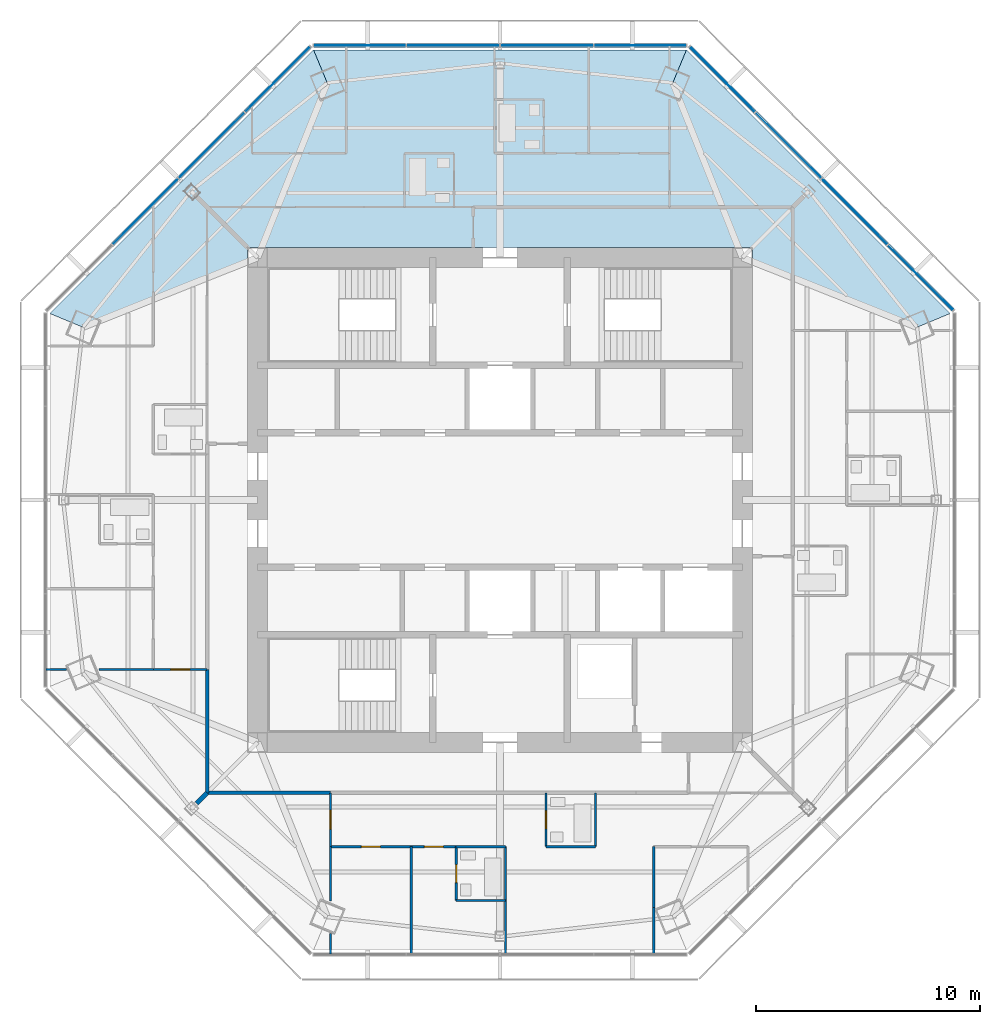
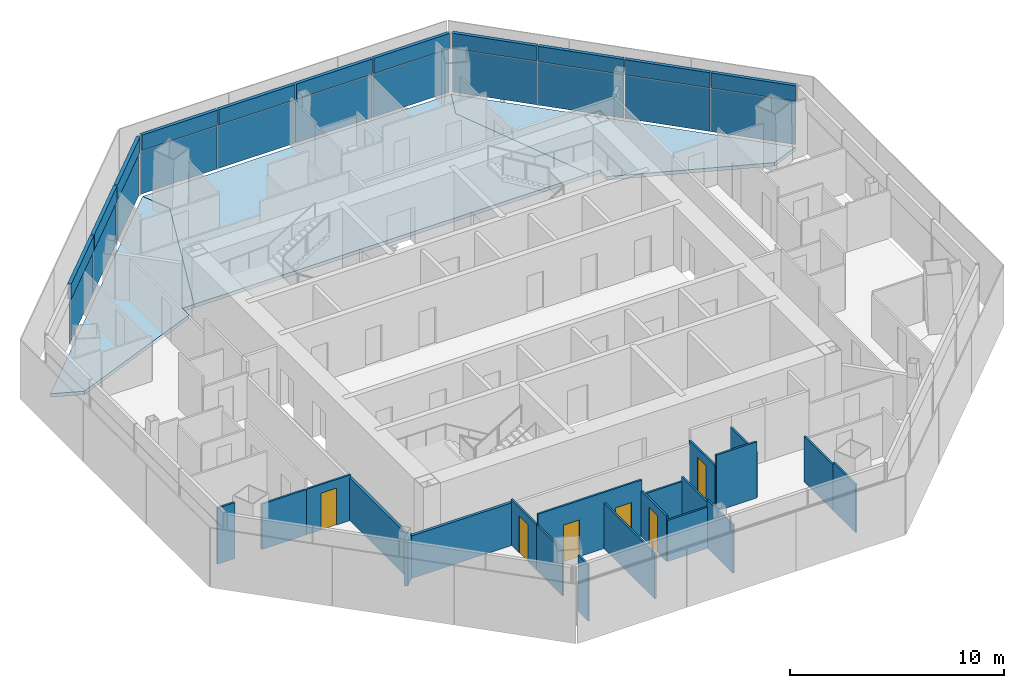
# One storey, part 9 of 15: 22 plates, 21 walls, 6 doors, 3 slabs, 6 openings, 3 elements without a shape of their own.
"""IFC4 building model written with IfcOpenShell, lengths in metres."""

from ifc_helpers import new_model, si_unit, direction, frame, frame_2d, origin, origin_2d, place, context, subcontext, project, spatial, polyline, rectangle, outline, extrude, source, transform, mapped, material, layer, layer_set, type_object, type_shapes, element, fill, aggregate, save


model = new_model("IFC4")

# Units and contexts
model_context = context("Model", 3, precision=1e-05, world=origin(), true_north=direction((0.0, 1.0)))
body_context = subcontext(model_context, "Body", "Model", "MODEL_VIEW")
ifc_project = project(units=[si_unit("LENGTHUNIT", "METRE"), si_unit("AREAUNIT", "SQUARE_METRE"), si_unit("VOLUMEUNIT", "CUBIC_METRE"), si_unit("PLANEANGLEUNIT", "RADIAN"), si_unit("MASSUNIT", "GRAM", prefix="KILO")], contexts=[model_context])

# Site, building, storey
site_placement = place(None, origin())
site = spatial("IfcSite", under=ifc_project, at=site_placement, CompositionType="ELEMENT")
building_placement = place(site_placement, origin())
building = spatial("IfcBuilding", under=site, at=building_placement, Name="Mashrafa Tower", CompositionType="ELEMENT")
storey_placement = place(building_placement, frame((0.0, 0.0, 274.199951171875)))
storey = spatial("IfcBuildingStorey", under=building, at=storey_placement, Name="L66", CompositionType="ELEMENT", Elevation=274.199951171875)

# Slabs
ifc_material_1 = material(Name="Concrete C35/45", Category="concrete")
ifc_layer_1 = layer(ifc_material_1, 0.199951171875)
ifc_layer_set_1 = layer_set([ifc_layer_1], Name="Floor slab 200")
slab_type = type_object("IfcSlabType", Name="Floor slab 200", PredefinedType="FLOOR", material=ifc_layer_set_1)
slab_1_placement = place(storey_placement, frame((0.0, 0.0, -0.199951171875)))
element("IfcSlab", 1, at=slab_1_placement, inside=storey, type_object=slab_type, Name="Floor slab L66 north-east bay", PredefinedType="FLOOR", context=body_context, shape_type="SweptSolid", body=[
    extrude(outline(polyline([(8.308349609375, 20.05810546875), (20.05810546875, 8.308349609375), (20.05810546875, 8.308349609375), (18.58544921875, 7.6982421875), (11.25, 10.62060546875), (11.25, 11.25), (10.62060546875, 11.25), (7.6982421875, 18.58544921875), (8.308349609375, 20.05810546875), (8.308349609375, 20.05810546875)])), origin(), (0.0, 0.0, 1.0), 0.199951171875),
])
slab_2_placement = place(storey_placement, frame((0.0, 0.0, -0.199951171875)))
element("IfcSlab", 2, at=slab_2_placement, inside=storey, type_object=slab_type, Name="Floor slab L66 north bay", PredefinedType="FLOOR", context=body_context, shape_type="SweptSolid", body=[
    extrude(outline(polyline([(8.308349609375, 20.05810546875), (7.6982421875, 18.58544921875), (10.62060546875, 11.25), (-10.62060546875, 11.25), (-7.6982421875, 18.58544921875), (-8.308349609375, 20.05810546875), (8.308349609375, 20.05810546875)])), origin(), (0.0, 0.0, 1.0), 0.199951171875),
])
slab_3_placement = place(storey_placement, frame((0.0, 0.0, -0.199951171875)))
element("IfcSlab", 3, at=slab_3_placement, inside=storey, type_object=slab_type, Name="Floor slab L66 north-west bay", PredefinedType="FLOOR", context=body_context, shape_type="SweptSolid", body=[
    extrude(outline(polyline([(-20.05810546875, 8.308349609375), (-8.308349609375, 20.05810546875), (-8.308349609375, 20.05810546875), (-7.6982421875, 18.58544921875), (-10.62060546875, 11.25), (-11.25, 11.25), (-11.25, 10.62060546875), (-18.58544921875, 7.6982421875), (-20.05810546875, 8.308349609375), (-20.05810546875, 8.308349609375)])), origin(), (0.0, 0.0, 1.0), 0.199951171875),
])

# Curtain wall, plates
ifc_material_2 = material(Name="Unitised aluminium curtain wall", Category="aluminium")
curtain_wall_type = type_object("IfcCurtainWallType", Name="Apartment curtain wall, zone 4 CW-D 160 deep", PredefinedType="NOTDEFINED", material=ifc_material_2)
curtain_wall_1_placement = place(storey_placement, origin())
curtain_wall_1 = element("IfcCurtainWall", 4, at=curtain_wall_1_placement, inside=storey, type_object=curtain_wall_type, Name="Apartment curtain wall, zone 4 L66 north-east", PredefinedType="NOTDEFINED")
ifc_material_3 = material(Name="Insulated double glazing, acoustic", Category="glass")
ifc_layer_2 = layer(ifc_material_3, 0.028076171875)
ifc_layer_set_2 = layer_set([ifc_layer_2], Name="Vision panel CW-D 28")
plate_type_1 = type_object("IfcPlateType", Name="Vision panel CW-D 28", PredefinedType="CURTAIN_PANEL", material=ifc_layer_set_2)
shared_shape_1 = source(origin(), body_context, "Body", "SweptSolid", [
    extrude(rectangle(XDim=4.083984375, YDim=0.028076171875, at=origin_2d()), origin(), (0.0, 0.0, 1.0), 2.46240234375),
])
plate_1_placement = place(storey_placement, frame((18.7412109375, 9.907958984375, 0.0), z_axis=(0.0, 0.0, 1.0), x_axis=(-0.707106781187, 0.707106781187, 0.0)))
plate_1 = element("IfcPlate", 5, at=plate_1_placement, type_object=plate_type_1, Name="CW-D vision panel 1", PredefinedType="CURTAIN_PANEL", context=body_context, shape_type="MappedRepresentation", body=[
    mapped(shared_shape_1, transform((0.0, 0.0, 0.0))),
])
plate_2_placement = place(storey_placement, frame((9.907958984375, 18.7412109375, 0.0), z_axis=(0.0, 0.0, 1.0), x_axis=(-0.707106781187, 0.707106781187, 0.0)))
plate_2 = element("IfcPlate", 6, at=plate_2_placement, type_object=plate_type_1, Name="CW-D vision panel 4", PredefinedType="CURTAIN_PANEL", context=body_context, shape_type="MappedRepresentation", body=[
    mapped(shared_shape_1, transform((0.0, 0.0, 0.0))),
])

curtain_wall_2_placement = place(storey_placement, origin())
curtain_wall_2 = element("IfcCurtainWall", 7, at=curtain_wall_2_placement, inside=storey, type_object=curtain_wall_type, Name="Apartment curtain wall, zone 4 L66 north", PredefinedType="NOTDEFINED")
plate_3_placement = place(storey_placement, frame((6.24609375, 20.258056640625, 0.0), z_axis=(0.0, 0.0, 1.0), x_axis=(-1.0, 0.0, 0.0)))
plate_3 = element("IfcPlate", 8, at=plate_3_placement, type_object=plate_type_1, Name="CW-D vision panel 1", PredefinedType="CURTAIN_PANEL", context=body_context, shape_type="MappedRepresentation", body=[
    mapped(shared_shape_1, transform((0.0, 0.0, 0.0))),
])
plate_4_placement = place(storey_placement, frame((-6.24609375, 20.258056640625, 0.0), z_axis=(0.0, 0.0, 1.0), x_axis=(-1.0, 0.0, 0.0)))
plate_4 = element("IfcPlate", 9, at=plate_4_placement, type_object=plate_type_1, Name="CW-D vision panel 4", PredefinedType="CURTAIN_PANEL", context=body_context, shape_type="MappedRepresentation", body=[
    mapped(shared_shape_1, transform((0.0, 0.0, 0.0))),
])

# Curtain wall, plate
curtain_wall_3_placement = place(storey_placement, origin())
curtain_wall_3 = element("IfcCurtainWall", 10, at=curtain_wall_3_placement, inside=storey, type_object=curtain_wall_type, Name="Apartment curtain wall, zone 4 L66 north-west", PredefinedType="NOTDEFINED")
plate_5_placement = place(storey_placement, frame((-9.907958984375, 18.7412109375, 0.0), z_axis=(0.0, 0.0, 1.0), x_axis=(-0.707106781187, -0.707106781187, 0.0)))
plate_5 = element("IfcPlate", 11, at=plate_5_placement, type_object=plate_type_1, Name="CW-D vision panel 1", PredefinedType="CURTAIN_PANEL", context=body_context, shape_type="MappedRepresentation", body=[
    mapped(shared_shape_1, transform((0.0, 0.0, 0.0))),
])

# Plate
ifc_material_4 = material(Name="Insulated bronze aluminium spandrel panel", Category="aluminium")
ifc_layer_3 = layer(ifc_material_4, 0.179931640625)
ifc_layer_set_3 = layer_set([ifc_layer_3], Name="Spandrel panel CW-D 180")
plate_type_2 = type_object("IfcPlateType", Name="Spandrel panel CW-D 180", PredefinedType="CURTAIN_PANEL", material=ifc_layer_set_3)
shared_shape_2 = source(origin(), body_context, "Body", "SweptSolid", [
    extrude(rectangle(XDim=4.083984375, YDim=0.179931640625, at=origin_2d()), origin(), (0.0, 0.0, 1.0), 0.862548828125),
])
plate_6_placement = place(storey_placement, frame((18.7412109375, 9.907958984375, 2.53759765625), z_axis=(0.0, 0.0, 1.0), x_axis=(-0.707106781187, 0.707106781187, 0.0)))
plate_6 = element("IfcPlate", 12, at=plate_6_placement, type_object=plate_type_2, Name="CW-D spandrel panel 1", PredefinedType="CURTAIN_PANEL", context=body_context, shape_type="MappedRepresentation", body=[
    mapped(shared_shape_2, transform((0.0, 0.0, 0.0))),
])

plate_7_placement = place(storey_placement, frame((9.907958984375, 18.7412109375, 2.53759765625), z_axis=(0.0, 0.0, 1.0), x_axis=(-0.707106781187, 0.707106781187, 0.0)))
plate_7 = element("IfcPlate", 13, at=plate_7_placement, type_object=plate_type_2, Name="CW-D spandrel panel 4", PredefinedType="CURTAIN_PANEL", context=body_context, shape_type="MappedRepresentation", body=[
    mapped(shared_shape_2, transform((0.0, 0.0, 0.0))),
])

plate_8_placement = place(storey_placement, frame((6.24609375, 20.258056640625, 2.53759765625), z_axis=(0.0, 0.0, 1.0), x_axis=(-1.0, 0.0, 0.0)))
plate_8 = element("IfcPlate", 14, at=plate_8_placement, type_object=plate_type_2, Name="CW-D spandrel panel 1", PredefinedType="CURTAIN_PANEL", context=body_context, shape_type="MappedRepresentation", body=[
    mapped(shared_shape_2, transform((0.0, 0.0, 0.0))),
])

plate_9_placement = place(storey_placement, frame((-6.24609375, 20.258056640625, 2.53759765625), z_axis=(0.0, 0.0, 1.0), x_axis=(-1.0, 0.0, 0.0)))
plate_9 = element("IfcPlate", 15, at=plate_9_placement, type_object=plate_type_2, Name="CW-D spandrel panel 4", PredefinedType="CURTAIN_PANEL", context=body_context, shape_type="MappedRepresentation", body=[
    mapped(shared_shape_2, transform((0.0, 0.0, 0.0))),
])

plate_10_placement = place(storey_placement, frame((-9.907958984375, 18.7412109375, 2.53759765625), z_axis=(0.0, 0.0, 1.0), x_axis=(-0.707106781187, -0.707106781187, 0.0)))
plate_10 = element("IfcPlate", 16, at=plate_10_placement, type_object=plate_type_2, Name="CW-D spandrel panel 1", PredefinedType="CURTAIN_PANEL", context=body_context, shape_type="MappedRepresentation", body=[
    mapped(shared_shape_2, transform((0.0, 0.0, 0.0))),
])

shared_shape_3 = source(origin(), body_context, "Body", "SweptSolid", [
    extrude(rectangle(XDim=4.114013671875, YDim=0.028076171875, at=origin_2d()), origin(), (0.0, 0.0, 1.0), 2.46240234375),
])
type_shapes(plate_type_1, [shared_shape_1, shared_shape_3])
plate_11_placement = place(storey_placement, frame((15.80029296875, 12.848876953125, 0.0), z_axis=(0.0, 0.0, 1.0), x_axis=(-0.707106781187, 0.707106781187, 0.0)))
plate_11 = element("IfcPlate", 17, at=plate_11_placement, type_object=plate_type_1, Name="CW-D vision panel 2", PredefinedType="CURTAIN_PANEL", context=body_context, shape_type="MappedRepresentation", body=[
    mapped(shared_shape_3, transform((0.0, 0.0, 0.0))),
])

plate_12_placement = place(storey_placement, frame((12.848876953125, 15.80029296875, 0.0), z_axis=(0.0, 0.0, 1.0), x_axis=(-0.707106781187, 0.707106781187, 0.0)))
plate_12 = element("IfcPlate", 18, at=plate_12_placement, type_object=plate_type_1, Name="CW-D vision panel 3", PredefinedType="CURTAIN_PANEL", context=body_context, shape_type="MappedRepresentation", body=[
    mapped(shared_shape_3, transform((0.0, 0.0, 0.0))),
])

plate_13_placement = place(storey_placement, frame((2.0869140625, 20.258056640625, 0.0), z_axis=(0.0, 0.0, 1.0), x_axis=(-1.0, 0.0, 0.0)))
plate_13 = element("IfcPlate", 19, at=plate_13_placement, type_object=plate_type_1, Name="CW-D vision panel 2", PredefinedType="CURTAIN_PANEL", context=body_context, shape_type="MappedRepresentation", body=[
    mapped(shared_shape_3, transform((0.0, 0.0, 0.0))),
])

plate_14_placement = place(storey_placement, frame((-2.0869140625, 20.258056640625, 0.0), z_axis=(0.0, 0.0, 1.0), x_axis=(-1.0, 0.0, 0.0)))
plate_14 = element("IfcPlate", 20, at=plate_14_placement, type_object=plate_type_1, Name="CW-D vision panel 3", PredefinedType="CURTAIN_PANEL", context=body_context, shape_type="MappedRepresentation", body=[
    mapped(shared_shape_3, transform((0.0, 0.0, 0.0))),
])

plate_15_placement = place(storey_placement, frame((-12.848876953125, 15.80029296875, 0.0), z_axis=(0.0, 0.0, 1.0), x_axis=(-0.707106781187, -0.707106781187, 0.0)))
plate_15 = element("IfcPlate", 21, at=plate_15_placement, type_object=plate_type_1, Name="CW-D vision panel 2", PredefinedType="CURTAIN_PANEL", context=body_context, shape_type="MappedRepresentation", body=[
    mapped(shared_shape_3, transform((0.0, 0.0, 0.0))),
])

plate_16_placement = place(storey_placement, frame((-15.80029296875, 12.848876953125, 0.0), z_axis=(0.0, 0.0, 1.0), x_axis=(-0.707106781187, -0.707106781187, 0.0)))
plate_16 = element("IfcPlate", 22, at=plate_16_placement, type_object=plate_type_1, Name="CW-D vision panel 3", PredefinedType="CURTAIN_PANEL", context=body_context, shape_type="MappedRepresentation", body=[
    mapped(shared_shape_3, transform((0.0, 0.0, 0.0))),
])

shared_shape_4 = source(origin(), body_context, "Body", "SweptSolid", [
    extrude(rectangle(XDim=4.114013671875, YDim=0.179931640625, at=origin_2d()), origin(), (0.0, 0.0, 1.0), 0.862548828125),
])
type_shapes(plate_type_2, [shared_shape_2, shared_shape_4])
plate_17_placement = place(storey_placement, frame((15.80029296875, 12.848876953125, 2.53759765625), z_axis=(0.0, 0.0, 1.0), x_axis=(-0.707106781187, 0.707106781187, 0.0)))
plate_17 = element("IfcPlate", 23, at=plate_17_placement, type_object=plate_type_2, Name="CW-D spandrel panel 2", PredefinedType="CURTAIN_PANEL", context=body_context, shape_type="MappedRepresentation", body=[
    mapped(shared_shape_4, transform((0.0, 0.0, 0.0))),
])

plate_18_placement = place(storey_placement, frame((12.848876953125, 15.80029296875, 2.53759765625), z_axis=(0.0, 0.0, 1.0), x_axis=(-0.707106781187, 0.707106781187, 0.0)))
plate_18 = element("IfcPlate", 24, at=plate_18_placement, type_object=plate_type_2, Name="CW-D spandrel panel 3", PredefinedType="CURTAIN_PANEL", context=body_context, shape_type="MappedRepresentation", body=[
    mapped(shared_shape_4, transform((0.0, 0.0, 0.0))),
])

aggregate(curtain_wall_1, [plate_1, plate_6, plate_11, plate_17, plate_12, plate_18, plate_2, plate_7])

plate_19_placement = place(storey_placement, frame((2.0869140625, 20.258056640625, 2.53759765625), z_axis=(0.0, 0.0, 1.0), x_axis=(-1.0, 0.0, 0.0)))
plate_19 = element("IfcPlate", 25, at=plate_19_placement, type_object=plate_type_2, Name="CW-D spandrel panel 2", PredefinedType="CURTAIN_PANEL", context=body_context, shape_type="MappedRepresentation", body=[
    mapped(shared_shape_4, transform((0.0, 0.0, 0.0))),
])

plate_20_placement = place(storey_placement, frame((-2.0869140625, 20.258056640625, 2.53759765625), z_axis=(0.0, 0.0, 1.0), x_axis=(-1.0, 0.0, 0.0)))
plate_20 = element("IfcPlate", 26, at=plate_20_placement, type_object=plate_type_2, Name="CW-D spandrel panel 3", PredefinedType="CURTAIN_PANEL", context=body_context, shape_type="MappedRepresentation", body=[
    mapped(shared_shape_4, transform((0.0, 0.0, 0.0))),
])

aggregate(curtain_wall_2, [plate_3, plate_8, plate_13, plate_19, plate_14, plate_20, plate_4, plate_9])

plate_21_placement = place(storey_placement, frame((-12.848876953125, 15.80029296875, 2.53759765625), z_axis=(0.0, 0.0, 1.0), x_axis=(-0.707106781187, -0.707106781187, 0.0)))
plate_21 = element("IfcPlate", 27, at=plate_21_placement, type_object=plate_type_2, Name="CW-D spandrel panel 2", PredefinedType="CURTAIN_PANEL", context=body_context, shape_type="MappedRepresentation", body=[
    mapped(shared_shape_4, transform((0.0, 0.0, 0.0))),
])

plate_22_placement = place(storey_placement, frame((-15.80029296875, 12.848876953125, 2.53759765625), z_axis=(0.0, 0.0, 1.0), x_axis=(-0.707106781187, -0.707106781187, 0.0)))
plate_22 = element("IfcPlate", 28, at=plate_22_placement, type_object=plate_type_2, Name="CW-D spandrel panel 3", PredefinedType="CURTAIN_PANEL", context=body_context, shape_type="MappedRepresentation", body=[
    mapped(shared_shape_4, transform((0.0, 0.0, 0.0))),
])

aggregate(curtain_wall_3, [plate_5, plate_10, plate_15, plate_21, plate_16, plate_22])

# Walls
ifc_material_5 = material(Name="Gypsum board on steel studs", Category="steel")
ifc_layer_4 = layer(ifc_material_5, 0.199951171875)
ifc_layer_set_4 = layer_set([ifc_layer_4], Name="Acoustic partition 200 1 hr")
wall_type_1 = type_object("IfcWallType", Name="Acoustic partition 200 1 hr", PredefinedType="PARTITIONING", material=ifc_layer_set_4)
wall_1_placement = place(storey_placement, frame((-13.518310546875, -13.518310546875, 0.0), z_axis=(0.0, 0.0, 1.0), x_axis=(0.707106781187, 0.707106781187, 0.0)))
element("IfcWall", 29, at=wall_1_placement, inside=storey, type_object=wall_type_1, Name="Acoustic wall L66-086", PredefinedType="PARTITIONING", context=body_context, shape_type="SweptSolid", body=[
    extrude(rectangle(XDim=0.662109375, YDim=0.199951171875, at=frame_2d((0.3310546875, 0.0))), origin(), (0.0, 0.0, 1.0), 2.590576171875),
])
ifc_material_6 = material(Name="Gypsum board on steel studs", Category="steel")
ifc_layer_5 = layer(ifc_material_6, 0.14990234375)
ifc_layer_set_5 = layer_set([ifc_layer_5], Name="Corridor partition 150 1 hr")
wall_type_2 = type_object("IfcWallType", Name="Corridor partition 150 1 hr", PredefinedType="PARTITIONING", material=ifc_layer_set_5)
for number, where, z_axis, x_axis, name in (
    (30, (-13.050048828125, -7.549072265625, 0.0), (0.0, 0.0, 1.0), (0.0, -1.0, 0.0), "Corridor wall L66-009"),
    (31, (-13.050048828125, -13.050048828125, 0.0), (0.0, 0.0, 1.0), (1.0, 0.0, 0.0), "Corridor wall L66-013"),
):
    element("IfcWall", number, at=place(storey_placement, frame(where, z_axis=z_axis, x_axis=x_axis)), inside=storey, type_object=wall_type_2, Name=name, PredefinedType="PARTITIONING", context=body_context, shape_type="SweptSolid", body=[
        extrude(rectangle(XDim=5.5009765625, YDim=0.14990234375, at=frame_2d((2.75048828125, 0.0))), origin(), (0.0, 0.0, 1.0), 2.427978515625),
    ])
ifc_material_7 = material(Name="Gypsum board on steel studs", Category="steel")
ifc_layer_6 = layer(ifc_material_7, 0.10009765625)
ifc_layer_set_6 = layer_set([ifc_layer_6], Name="Partition 100")
wall_type_3 = type_object("IfcWallType", Name="Partition 100", PredefinedType="PARTITIONING", material=ifc_layer_set_6)
wall_2_placement = place(storey_placement, frame((6.85009765625, -15.449951171875, 0.0), z_axis=(0.0, 0.0, 1.0), x_axis=(0.0, -1.0, 0.0)))
element("IfcWall", 32, at=wall_2_placement, inside=storey, type_object=wall_type_3, Name="Partition wall L66-030", PredefinedType="PARTITIONING", context=body_context, shape_type="SweptSolid", body=[
    extrude(rectangle(XDim=2.697265625, YDim=0.10009765625, at=frame_2d((1.3486328125, 0.0))), origin(), (0.0, 0.0, 1.0), 2.590576171875),
])
wall_3_placement = place(storey_placement, frame((6.85009765625, -18.15478515625, 0.0), z_axis=(0.0, 0.0, 1.0), x_axis=(0.0, -1.0, 0.0)))
element("IfcWall", 33, at=wall_3_placement, inside=storey, type_object=wall_type_3, Name="Partition wall L66-031", PredefinedType="PARTITIONING", context=body_context, shape_type="SweptSolid", body=[
    extrude(rectangle(XDim=2.085205078125, YDim=0.10009765625, at=frame_2d((1.04248046875, 0.0))), origin(), (0.0, 0.0, 1.0), 2.740478515625),
])
wall_4_placement = place(storey_placement, frame((-20.239990234375, -7.550048828125, 0.0), z_axis=(0.0, 0.0, 1.0), x_axis=(1.0, 0.0, 0.0)))
element("IfcWall", 34, at=wall_4_placement, inside=storey, type_object=wall_type_3, Name="Partition wall L66-082", PredefinedType="PARTITIONING", context=body_context, shape_type="SweptSolid", body=[
    extrude(rectangle(XDim=0.929443359375, YDim=0.10009765625, at=frame_2d((0.46484375, 0.0))), origin(), (0.0, 0.0, 1.0), 3.199951171875),
])
wall_5_placement = place(storey_placement, frame((-17.857421875, -7.550048828125, 0.0), z_axis=(0.0, 0.0, 1.0), x_axis=(1.0, 0.0, 0.0)))
element("IfcWall", 35, at=wall_5_placement, inside=storey, type_object=wall_type_3, Name="Partition wall L66-083", PredefinedType="PARTITIONING", context=body_context, shape_type="SweptSolid", body=[
    extrude(rectangle(XDim=2.407470703125, YDim=0.10009765625, at=frame_2d((1.20361328125, 0.0))), origin(), (0.0, 0.0, 1.0), 2.590576171875),
])

# Wall, opening, door
wall_6_placement = place(storey_placement, frame((-13.050048828125, -7.550048828125, 0.0), z_axis=(0.0, 0.0, 1.0), x_axis=(-1.0, 0.0, 0.0)))
wall_6 = element("IfcWall", 36, at=wall_6_placement, inside=storey, type_object=wall_type_3, Name="Partition wall L66-085", PredefinedType="PARTITIONING", context=body_context, shape_type="SweptSolid", body=[
    extrude(rectangle(XDim=2.40087890625, YDim=0.10009765625, at=frame_2d((1.200439453125, 0.0))), origin(), (0.0, 0.0, 1.0), 2.590576171875),
])
opening_1_placement = place(wall_6_placement, frame((0.775390625, 0.0, 0.0)))
opening_1 = element("IfcOpeningElement", 37, at=opening_1_placement, cuts=wall_6, Name="Opening 66.021", PredefinedType="OPENING", context=body_context, shape_type="SweptSolid", body=[
    extrude(rectangle(XDim=0.85009765625, YDim=2.10009765625, at=frame_2d((0.425048828125, 1.050048828125))), frame((0.0, 0.06005859375, 0.0), z_axis=(0.0, -1.0, 0.0), x_axis=(1.0, 0.0, 0.0)), (0.0, 0.0, 1.0), 0.1201171875),
])
ifc_material_8 = material(Name="Timber door", Category="wood")
door_type_1 = type_object("IfcDoorType", Name="Bedroom door 850 x 2100", OperationType="USERDEFINED", PredefinedType="DOOR", material=ifc_material_8)
door_1_placement = place(opening_1_placement, origin())
door_1 = element("IfcDoor", 38, at=door_1_placement, inside=storey, type_object=door_type_1, Name="Apartment 6603 Bedroom 3 door", OperationType="SINGLE_SWING_LEFT", OverallHeight=2.10009765625, OverallWidth=0.85009765625, PredefinedType="DOOR", context=body_context, shape_type="SweptSolid", body=[
    extrude(rectangle(XDim=0.85009765625, YDim=2.10009765625, at=frame_2d((0.425048828125, 1.050048828125))), frame((0.0, 0.02490234375, 0.0), z_axis=(0.0, -1.0, 0.0), x_axis=(1.0, 0.0, 0.0)), (0.0, 0.0, 1.0), 0.050048828125),
])
fill(opening_1, door_1)

# Wall
wall_7_placement = place(storey_placement, frame((4.25, -13.050048828125, 0.0), z_axis=(0.0, 0.0, 1.0), x_axis=(0.0, -1.0, 0.0)))
element("IfcWall", 39, at=wall_7_placement, inside=storey, type_object=wall_type_3, Name="Partition wall L66-088", PredefinedType="PARTITIONING", context=body_context, shape_type="SweptSolid", body=[
    extrude(rectangle(XDim=2.39990234375, YDim=0.10009765625, at=frame_2d((1.199951171875, 0.0))), origin(), (0.0, 0.0, 1.0), 2.590576171875),
])

# Wall, opening, door
wall_8_placement = place(storey_placement, frame((2.050048828125, -13.050048828125, 0.0), z_axis=(0.0, 0.0, 1.0), x_axis=(0.0, -1.0, 0.0)))
wall_8 = element("IfcWall", 40, at=wall_8_placement, inside=storey, type_object=wall_type_3, Name="Partition wall L66-089", PredefinedType="PARTITIONING", context=body_context, shape_type="SweptSolid", body=[
    extrude(rectangle(XDim=2.39990234375, YDim=0.10009765625, at=frame_2d((1.199951171875, 0.0))), origin(), (0.0, 0.0, 1.0), 2.590576171875),
])
opening_2_placement = place(wall_8_placement, frame((0.800048828125, 0.0, 0.0)))
opening_2 = element("IfcOpeningElement", 41, at=opening_2_placement, cuts=wall_8, Name="Opening 66.023", PredefinedType="OPENING", context=body_context, shape_type="SweptSolid", body=[
    extrude(rectangle(XDim=0.800048828125, YDim=2.10009765625, at=frame_2d((0.39990234375, 1.050048828125))), frame((0.0, 0.06005859375, 0.0), z_axis=(0.0, -1.0, 0.0), x_axis=(1.0, 0.0, 0.0)), (0.0, 0.0, 1.0), 0.1201171875),
])
ifc_material_9 = material(Name="Timber door", Category="wood")
door_type_2 = type_object("IfcDoorType", Name="Bathroom door 800 x 2100", OperationType="USERDEFINED", PredefinedType="DOOR", material=ifc_material_9)
door_2_placement = place(opening_2_placement, origin())
door_2 = element("IfcDoor", 42, at=door_2_placement, inside=storey, type_object=door_type_2, Name="Apartment 6604 Bathroom door", OperationType="SINGLE_SWING_RIGHT", OverallHeight=2.10009765625, OverallWidth=0.800048828125, PredefinedType="DOOR", context=body_context, shape_type="SweptSolid", body=[
    extrude(rectangle(XDim=0.800048828125, YDim=2.10009765625, at=frame_2d((0.39990234375, 1.050048828125))), frame((0.0, 0.02490234375, 0.0), z_axis=(0.0, -1.0, 0.0), x_axis=(1.0, 0.0, 0.0)), (0.0, 0.0, 1.0), 0.050048828125),
])
fill(opening_2, door_2)

# Wall
wall_9_placement = place(storey_placement, frame((2.050048828125, -15.449951171875, 0.0), z_axis=(0.0, 0.0, 1.0), x_axis=(1.0, 0.0, 0.0)))
element("IfcWall", 43, at=wall_9_placement, inside=storey, type_object=wall_type_3, Name="Partition wall L66-090", PredefinedType="PARTITIONING", context=body_context, shape_type="SweptSolid", body=[
    extrude(rectangle(XDim=2.199951171875, YDim=0.10009765625, at=frame_2d((1.10009765625, 0.0))), origin(), (0.0, 0.0, 1.0), 3.199951171875),
])

# Wall, opening, door
wall_10_placement = place(storey_placement, frame((-1.949951171875, -15.449951171875, 0.0), z_axis=(0.0, 0.0, 1.0), x_axis=(0.0, -1.0, 0.0)))
wall_10 = element("IfcWall", 44, at=wall_10_placement, inside=storey, type_object=wall_type_3, Name="Partition wall L66-091", PredefinedType="PARTITIONING", context=body_context, shape_type="SweptSolid", body=[
    extrude(rectangle(XDim=2.400146484375, YDim=0.10009765625, at=frame_2d((1.2001953125, 0.0))), origin(), (0.0, 0.0, 1.0), 2.590576171875),
])
opening_3_placement = place(wall_10_placement, frame((0.800048828125, 0.0, 0.0)))
opening_3 = element("IfcOpeningElement", 45, at=opening_3_placement, cuts=wall_10, Name="Opening 66.024", PredefinedType="OPENING", context=body_context, shape_type="SweptSolid", body=[
    extrude(rectangle(XDim=0.800048828125, YDim=2.10009765625, at=frame_2d((0.39990234375, 1.050048828125))), frame((0.0, 0.06005859375, 0.0), z_axis=(0.0, -1.0, 0.0), x_axis=(1.0, 0.0, 0.0)), (0.0, 0.0, 1.0), 0.1201171875),
])
door_3_placement = place(opening_3_placement, origin())
door_3 = element("IfcDoor", 46, at=door_3_placement, inside=storey, type_object=door_type_2, Name="Apartment 6604 En-suite Bathroom door", OperationType="SINGLE_SWING_RIGHT", OverallHeight=2.10009765625, OverallWidth=0.800048828125, PredefinedType="DOOR", context=body_context, shape_type="SweptSolid", body=[
    extrude(rectangle(XDim=0.800048828125, YDim=2.10009765625, at=frame_2d((0.39990234375, 1.050048828125))), frame((0.0, 0.02490234375, 0.0), z_axis=(0.0, -1.0, 0.0), x_axis=(1.0, 0.0, 0.0)), (0.0, 0.0, 1.0), 0.050048828125),
])
fill(opening_3, door_3)

# Walls
wall_11_placement = place(storey_placement, frame((-1.949951171875, -17.85009765625, 0.0), z_axis=(0.0, 0.0, 1.0), x_axis=(1.0, 0.0, 0.0)))
element("IfcWall", 47, at=wall_11_placement, inside=storey, type_object=wall_type_3, Name="Partition wall L66-092", PredefinedType="PARTITIONING", context=body_context, shape_type="SweptSolid", body=[
    extrude(rectangle(XDim=2.199951171875, YDim=0.10009765625, at=frame_2d((1.10009765625, 0.0))), origin(), (0.0, 0.0, 1.0), 2.34423828125),
])
wall_12_placement = place(storey_placement, frame((0.25, -17.85009765625, 0.0), z_axis=(0.0, 0.0, 1.0), x_axis=(0.0, 1.0, 0.0)))
element("IfcWall", 48, at=wall_12_placement, inside=storey, type_object=wall_type_3, Name="Partition wall L66-093", PredefinedType="PARTITIONING", context=body_context, shape_type="SweptSolid", body=[
    extrude(rectangle(XDim=2.400146484375, YDim=0.10009765625, at=frame_2d((1.2001953125, 0.0))), origin(), (0.0, 0.0, 1.0), 2.590576171875),
])
wall_13_placement = place(storey_placement, frame((0.25, -15.449951171875, 0.0), z_axis=(0.0, 0.0, 1.0), x_axis=(-1.0, 0.0, 0.0)))
element("IfcWall", 49, at=wall_13_placement, inside=storey, type_object=wall_type_3, Name="Partition wall L66-094", PredefinedType="PARTITIONING", context=body_context, shape_type="SweptSolid", body=[
    extrude(rectangle(XDim=2.199951171875, YDim=0.10009765625, at=frame_2d((1.10009765625, 0.0))), origin(), (0.0, 0.0, 1.0), 2.34423828125),
])
wall_14_placement = place(storey_placement, frame((-3.949951171875, -15.449951171875, 0.0), z_axis=(0.0, 0.0, 1.0), x_axis=(0.0, -1.0, 0.0)))
element("IfcWall", 50, at=wall_14_placement, inside=storey, type_object=wall_type_3, Name="Partition wall L66-095", PredefinedType="PARTITIONING", context=body_context, shape_type="SweptSolid", body=[
    extrude(rectangle(XDim=4.7900390625, YDim=0.10009765625, at=frame_2d((2.39501953125, 0.0))), origin(), (0.0, 0.0, 1.0), 2.590576171875),
])

# Wall, openings, doors
wall_15_placement = place(storey_placement, frame((-1.949951171875, -15.449951171875, 0.0), z_axis=(0.0, 0.0, 1.0), x_axis=(-1.0, 0.0, 0.0)))
wall_15 = element("IfcWall", 51, at=wall_15_placement, inside=storey, type_object=wall_type_3, Name="Partition wall L66-096", PredefinedType="PARTITIONING", context=body_context, shape_type="SweptSolid", body=[
    extrude(rectangle(XDim=5.60009765625, YDim=0.10009765625, at=frame_2d((2.800048828125, 0.0))), origin(), (0.0, 0.0, 1.0), 3.199951171875),
])
opening_4_placement = place(wall_15_placement, frame((0.574951171875, 0.0, 0.0)))
opening_4 = element("IfcOpeningElement", 52, at=opening_4_placement, cuts=wall_15, Name="Opening 66.025", PredefinedType="OPENING", context=body_context, shape_type="SweptSolid", body=[
    extrude(rectangle(XDim=0.85009765625, YDim=2.10009765625, at=frame_2d((0.425048828125, 1.050048828125))), frame((0.0, 0.06005859375, 0.0), z_axis=(0.0, -1.0, 0.0), x_axis=(1.0, 0.0, 0.0)), (0.0, 0.0, 1.0), 0.1201171875),
])
opening_5_placement = place(wall_15_placement, frame((3.375, 0.0, 0.0)))
opening_5 = element("IfcOpeningElement", 53, at=opening_5_placement, cuts=wall_15, Name="Opening 66.026", PredefinedType="OPENING", context=body_context, shape_type="SweptSolid", body=[
    extrude(rectangle(XDim=0.85009765625, YDim=2.10009765625, at=frame_2d((0.425048828125, 1.050048828125))), frame((0.0, 0.06005859375, 0.0), z_axis=(0.0, -1.0, 0.0), x_axis=(1.0, 0.0, 0.0)), (0.0, 0.0, 1.0), 0.1201171875),
])
door_4_placement = place(opening_4_placement, origin())
door_4 = element("IfcDoor", 54, at=door_4_placement, inside=storey, type_object=door_type_1, Name="Apartment 6604 Bedroom 1 door", OperationType="SINGLE_SWING_RIGHT", OverallHeight=2.10009765625, OverallWidth=0.85009765625, PredefinedType="DOOR", context=body_context, shape_type="SweptSolid", body=[
    extrude(rectangle(XDim=0.85009765625, YDim=2.10009765625, at=frame_2d((0.425048828125, 1.050048828125))), frame((0.0, 0.02490234375, 0.0), z_axis=(0.0, -1.0, 0.0), x_axis=(1.0, 0.0, 0.0)), (0.0, 0.0, 1.0), 0.050048828125),
])
fill(opening_4, door_4)
door_5_placement = place(opening_5_placement, origin())
door_5 = element("IfcDoor", 55, at=door_5_placement, inside=storey, type_object=door_type_1, Name="Apartment 6604 Bedroom 2 door", OperationType="SINGLE_SWING_RIGHT", OverallHeight=2.10009765625, OverallWidth=0.85009765625, PredefinedType="DOOR", context=body_context, shape_type="SweptSolid", body=[
    extrude(rectangle(XDim=0.85009765625, YDim=2.10009765625, at=frame_2d((0.425048828125, 1.050048828125))), frame((0.0, 0.02490234375, 0.0), z_axis=(0.0, -1.0, 0.0), x_axis=(1.0, 0.0, 0.0)), (0.0, 0.0, 1.0), 0.050048828125),
])
fill(opening_5, door_5)

# Walls
wall_16_placement = place(storey_placement, frame((0.25, -20.239990234375, 0.0), z_axis=(0.0, 0.0, 1.0), x_axis=(0.0, 1.0, 0.0)))
element("IfcWall", 56, at=wall_16_placement, inside=storey, type_object=wall_type_3, Name="Partition wall L66-097", PredefinedType="PARTITIONING", context=body_context, shape_type="SweptSolid", body=[
    extrude(rectangle(XDim=2.389892578125, YDim=0.10009765625, at=frame_2d((1.19482421875, 0.0))), origin(), (0.0, 0.0, 1.0), 2.740478515625),
])
wall_17_placement = place(storey_placement, frame((-7.550048828125, -15.449951171875, 0.0), z_axis=(0.0, 0.0, 1.0), x_axis=(0.0, -1.0, 0.0)))
element("IfcWall", 57, at=wall_17_placement, inside=storey, type_object=wall_type_3, Name="Partition wall L66-098", PredefinedType="PARTITIONING", context=body_context, shape_type="SweptSolid", body=[
    extrude(rectangle(XDim=2.407470703125, YDim=0.10009765625, at=frame_2d((1.20361328125, 0.0))), origin(), (0.0, 0.0, 1.0), 2.590576171875),
])
wall_18_placement = place(storey_placement, frame((-7.550048828125, -19.310546875, 0.0), z_axis=(0.0, 0.0, 1.0), x_axis=(0.0, -1.0, 0.0)))
element("IfcWall", 58, at=wall_18_placement, inside=storey, type_object=wall_type_3, Name="Partition wall L66-099", PredefinedType="PARTITIONING", context=body_context, shape_type="SweptSolid", body=[
    extrude(rectangle(XDim=0.929443359375, YDim=0.10009765625, at=frame_2d((0.46484375, 0.0))), origin(), (0.0, 0.0, 1.0), 3.199951171875),
])

# Wall, opening, door
wall_19_placement = place(storey_placement, frame((-7.550048828125, -15.450927734375, 0.0), z_axis=(0.0, 0.0, 1.0), x_axis=(0.0, 1.0, 0.0)))
wall_19 = element("IfcWall", 59, at=wall_19_placement, inside=storey, type_object=wall_type_3, Name="Partition wall L66-101", PredefinedType="PARTITIONING", context=body_context, shape_type="SweptSolid", body=[
    extrude(rectangle(XDim=2.40087890625, YDim=0.10009765625, at=frame_2d((1.200439453125, 0.0))), origin(), (0.0, 0.0, 1.0), 2.590576171875),
])
opening_6_placement = place(wall_19_placement, frame((0.775390625, 0.0, 0.0)))
opening_6 = element("IfcOpeningElement", 60, at=opening_6_placement, cuts=wall_19, Name="Opening 66.027", PredefinedType="OPENING", context=body_context, shape_type="SweptSolid", body=[
    extrude(rectangle(XDim=0.85009765625, YDim=2.10009765625, at=frame_2d((0.425048828125, 1.050048828125))), frame((0.0, 0.06005859375, 0.0), z_axis=(0.0, -1.0, 0.0), x_axis=(1.0, 0.0, 0.0)), (0.0, 0.0, 1.0), 0.1201171875),
])
door_6_placement = place(opening_6_placement, origin())
door_6 = element("IfcDoor", 61, at=door_6_placement, inside=storey, type_object=door_type_1, Name="Apartment 6604 Bedroom 3 door", OperationType="SINGLE_SWING_RIGHT", OverallHeight=2.10009765625, OverallWidth=0.85009765625, PredefinedType="DOOR", context=body_context, shape_type="SweptSolid", body=[
    extrude(rectangle(XDim=0.85009765625, YDim=2.10009765625, at=frame_2d((0.425048828125, 1.050048828125))), frame((0.0, 0.02490234375, 0.0), z_axis=(0.0, -1.0, 0.0), x_axis=(1.0, 0.0, 0.0)), (0.0, 0.0, 1.0), 0.050048828125),
])
fill(opening_6, door_6)

save(model, "model.ifc")
